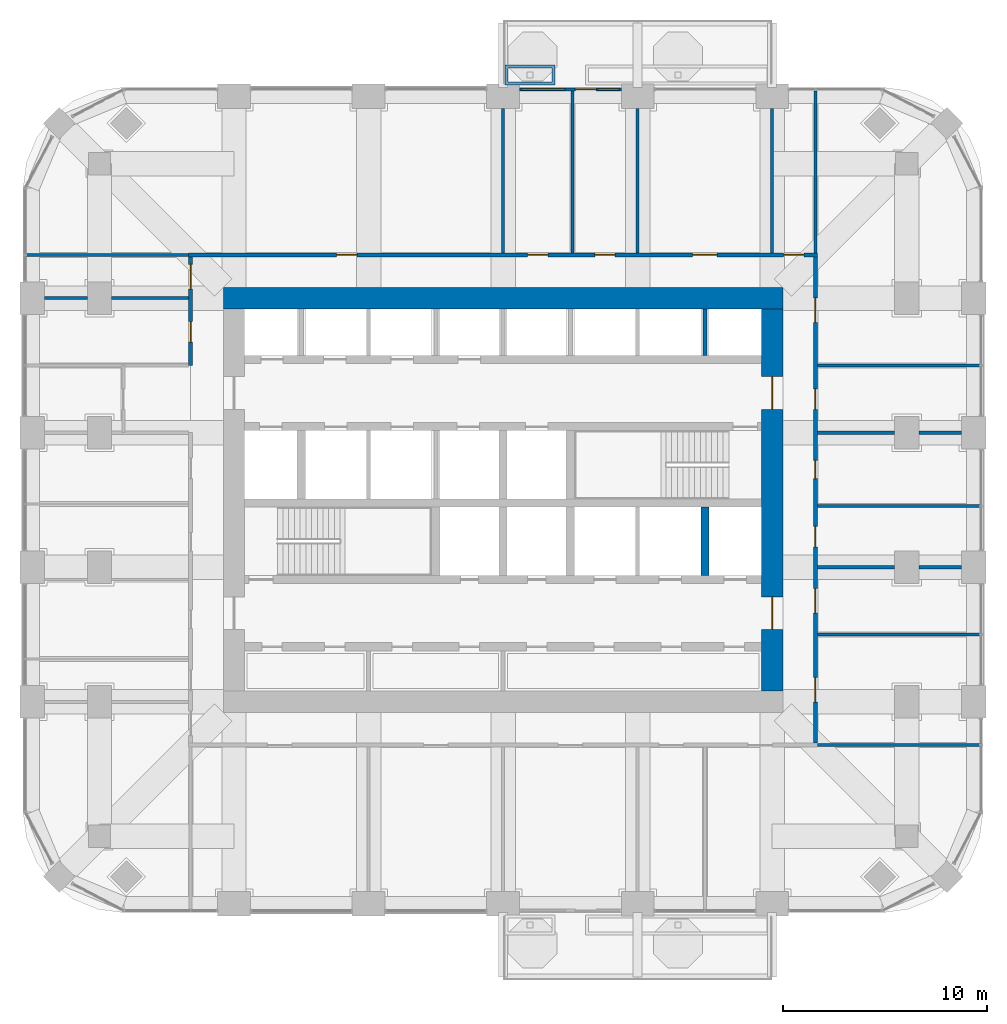
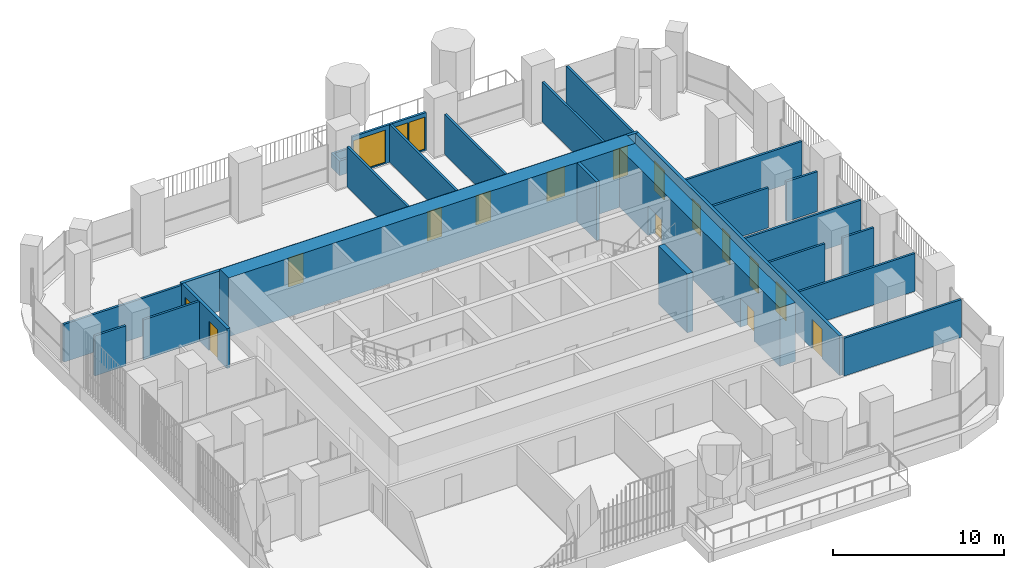
# One storey, part 15 of 20: 25 walls, 16 doors, 2 windows, 18 openings.
"""IFC4 building model written with IfcOpenShell, lengths in metres."""

from ifc_helpers import new_model, si_unit, direction, frame, frame_2d, origin, place, context, subcontext, project, spatial, polyline, rectangle, outline, extrude, material, layer, layer_set, type_object, element, fill, save


model = new_model("IFC4")

# Units and contexts
model_context = context("Model", 3, precision=1e-05, world=origin(), true_north=direction((0.0, 1.0)))
body_context = subcontext(model_context, "Body", "Model", "MODEL_VIEW")
ifc_project = project(units=[si_unit("LENGTHUNIT", "METRE"), si_unit("AREAUNIT", "SQUARE_METRE"), si_unit("VOLUMEUNIT", "CUBIC_METRE"), si_unit("PLANEANGLEUNIT", "RADIAN"), si_unit("MASSUNIT", "GRAM", prefix="KILO")], contexts=[model_context])

# Site, building, storey
site_placement = place(None, origin())
site = spatial("IfcSite", under=ifc_project, at=site_placement, CompositionType="ELEMENT")
building_placement = place(site_placement, origin())
building = spatial("IfcBuilding", under=site, at=building_placement, Name="Cobogo Forest Laboratory Tower", CompositionType="ELEMENT")
storey_placement = place(building_placement, frame((0.0, 0.0, 189.300048828125)))
storey = spatial("IfcBuildingStorey", under=building, at=storey_placement, Name="L43", CompositionType="ELEMENT", Elevation=189.300048828125)

# Wall
ifc_material_1 = material(Name="Concrete HA-50 (C50/60)", Category="concrete")
ifc_layer_1 = layer(ifc_material_1, 0.39990234375)
ifc_layer_set_1 = layer_set([ifc_layer_1], Name="CI400 core inner wall 400")
wall_type_1 = type_object("IfcWallType", Name="CI400 core inner wall 400", PredefinedType="SHEAR", material=ifc_layer_set_1)
wall_1_placement = place(storey_placement, frame((36.300048828125, 19.39990234375, 0.0), z_axis=(0.0, 0.0, 1.0), x_axis=(0.0, 1.0, 0.0)))
element("IfcWall", 1, at=wall_1_placement, inside=storey, type_object=wall_type_1, Name="Core wall CX-36.3 L43", PredefinedType="SHEAR", context=body_context, shape_type="SweptSolid", body=[
    extrude(rectangle(XDim=3.35009765625, YDim=0.39990234375, at=frame_2d((1.675048828125, 0.0))), origin(), (0.0, 0.0, 1.0), 4.199951171875),
])

# Wall, openings, doors
ifc_layer_2 = layer(ifc_material_1, 1.050048828125)
ifc_layer_set_2 = layer_set([ifc_layer_2], Name="CW1050 core outer wall 1050")
wall_type_2 = type_object("IfcWallType", Name="CW1050 core outer wall 1050", PredefinedType="SHEAR", material=ifc_layer_set_2)
wall_2_placement = place(storey_placement, frame((39.60009765625, 13.72509765625, 0.0), z_axis=(0.0, 0.0, 1.0), x_axis=(0.0, 1.0, 0.0)))
wall_2 = element("IfcWall", 2, at=wall_2_placement, inside=storey, type_object=wall_type_2, Name="Core wall CO-E L43", PredefinedType="SHEAR", context=body_context, shape_type="SweptSolid", body=[
    extrude(rectangle(XDim=18.75, YDim=1.050048828125, at=frame_2d((9.375, 0.0))), origin(), (0.0, 0.0, 1.0), 4.199951171875),
])
opening_1_placement = place(wall_2_placement, frame((3.02490234375, 0.0, 0.0)))
opening_1 = element("IfcOpeningElement", 3, at=opening_1_placement, cuts=wall_2, Name="Opening L43-D20", PredefinedType="OPENING", context=body_context, shape_type="SweptSolid", body=[
    extrude(rectangle(XDim=1.60009765625, YDim=2.10009765625, at=frame_2d((0.800048828125, 1.050048828125))), frame((0.0, 0.534912109375, 0.0), z_axis=(0.0, -1.0, 0.0), x_axis=(1.0, 0.0, 0.0)), (0.0, 0.0, 1.0), 1.070068359375),
])
opening_2_placement = place(wall_2_placement, frame((13.824951171875, 0.0, 0.0)))
opening_2 = element("IfcOpeningElement", 4, at=opening_2_placement, cuts=wall_2, Name="Opening L43-D33", PredefinedType="OPENING", context=body_context, shape_type="SweptSolid", body=[
    extrude(rectangle(XDim=1.60009765625, YDim=2.10009765625, at=frame_2d((0.800048828125, 1.050048828125))), frame((0.0, 0.534912109375, 0.0), z_axis=(0.0, -1.0, 0.0), x_axis=(1.0, 0.0, 0.0)), (0.0, 0.0, 1.0), 1.070068359375),
])
ifc_material_2 = material(Name="Steel fire door", Category="steel")
door_type_1 = type_object("IfcDoorType", Name="DS2 protected lobby door pair 1600 EI2 60", OperationType="DOUBLE_DOOR_DOUBLE_SWING", PredefinedType="DOOR", material=ifc_material_2)
door_1_placement = place(opening_1_placement, origin())
door_1 = element("IfcDoor", 5, at=door_1_placement, inside=storey, type_object=door_type_1, Name="Door L43-CO-E-S", OperationType="DOUBLE_DOOR_DOUBLE_SWING", OverallHeight=2.10009765625, OverallWidth=1.60009765625, PredefinedType="DOOR", context=body_context, shape_type="SweptSolid", body=[
    extrude(rectangle(XDim=1.60009765625, YDim=2.10009765625, at=frame_2d((0.800048828125, 1.050048828125))), frame((0.0, 0.02490234375, 0.0), z_axis=(0.0, -1.0, 0.0), x_axis=(1.0, 0.0, 0.0)), (0.0, 0.0, 1.0), 0.050048828125),
])
fill(opening_1, door_1)
door_2_placement = place(opening_2_placement, origin())
door_2 = element("IfcDoor", 6, at=door_2_placement, inside=storey, type_object=door_type_1, Name="Door L43-CO-E-N", OperationType="DOUBLE_DOOR_DOUBLE_SWING", OverallHeight=2.10009765625, OverallWidth=1.60009765625, PredefinedType="DOOR", context=body_context, shape_type="SweptSolid", body=[
    extrude(rectangle(XDim=1.60009765625, YDim=2.10009765625, at=frame_2d((0.800048828125, 1.050048828125))), frame((0.0, 0.02490234375, 0.0), z_axis=(0.0, -1.0, 0.0), x_axis=(1.0, 0.0, 0.0)), (0.0, 0.0, 1.0), 0.050048828125),
])
fill(opening_2, door_2)

# Wall
wall_3_placement = place(storey_placement, frame((40.125, 33.0, 0.0), z_axis=(0.0, 0.0, 1.0), x_axis=(-1.0, 0.0, 0.0)))
element("IfcWall", 7, at=wall_3_placement, inside=storey, type_object=wall_type_2, Name="Core wall CO-N L43", PredefinedType="SHEAR", context=body_context, shape_type="SweptSolid", body=[
    extrude(rectangle(XDim=27.449951171875, YDim=1.050048828125, at=frame_2d((13.72509765625, 0.0))), origin(), (0.0, 0.0, 1.0), 4.199951171875),
])

# Wall, openings, door, windows
ifc_material_3 = material(Name="Aluminium framed glazed screen", Category="aluminium")
ifc_layer_3 = layer(ifc_material_3, 0.14990234375)
ifc_layer_set_3 = layer_set([ifc_layer_3], Name="GS1 glazed door screen 150")
wall_type_3 = type_object("IfcWallType", Name="GS1 glazed door screen 150", PredefinedType="SOLIDWALL", material=ifc_layer_set_3)
wall_4_placement = place(storey_placement, frame((32.199951171875, 43.25, 0.0), z_axis=(0.0, 0.0, 1.0), x_axis=(-1.0, 0.0, 0.0)))
wall_4 = element("IfcWall", 8, at=wall_4_placement, inside=storey, type_object=wall_type_3, Name="Door screen BAL-N1 L43", PredefinedType="SOLIDWALL", context=body_context, shape_type="SweptSolid", body=[
    extrude(rectangle(XDim=5.0, YDim=0.14990234375, at=frame_2d((2.5, 0.0))), origin(), (0.0, 0.0, 1.0), 2.699951171875),
])
opening_3_placement = place(wall_4_placement, frame((1.25, 0.0, 0.0)))
opening_3 = element("IfcOpeningElement", 9, at=opening_3_placement, cuts=wall_4, Name="Opening L43-D42", PredefinedType="OPENING", context=body_context, shape_type="SweptSolid", body=[
    extrude(rectangle(XDim=1.0, YDim=2.39990234375, at=frame_2d((0.5, 1.199951171875))), frame((0.0, 0.0849609375, 0.0), z_axis=(0.0, -1.0, 0.0), x_axis=(1.0, 0.0, 0.0)), (0.0, 0.0, 1.0), 0.169921875),
])
opening_4_placement = place(wall_4_placement, frame((0.10009765625, 0.0, 0.10009765625)))
opening_4 = element("IfcOpeningElement", 10, at=opening_4_placement, cuts=wall_4, Name="Opening L43-W04", PredefinedType="OPENING", context=body_context, shape_type="SweptSolid", body=[
    extrude(rectangle(XDim=1.050048828125, YDim=2.300048828125, at=frame_2d((0.52490234375, 1.14990234375))), frame((0.0, 0.0849609375, 0.0), z_axis=(0.0, -1.0, 0.0), x_axis=(1.0, 0.0, 0.0)), (0.0, 0.0, 1.0), 0.169921875),
])
opening_5_placement = place(wall_4_placement, frame((2.75, 0.0, 0.10009765625)))
opening_5 = element("IfcOpeningElement", 11, at=opening_5_placement, cuts=wall_4, Name="Opening L43-W03", PredefinedType="OPENING", context=body_context, shape_type="SweptSolid", body=[
    extrude(rectangle(XDim=2.14990234375, YDim=2.300048828125, at=frame_2d((1.074951171875, 1.14990234375))), frame((0.0, 0.0849609375, 0.0), z_axis=(0.0, -1.0, 0.0), x_axis=(1.0, 0.0, 0.0)), (0.0, 0.0, 1.0), 0.169921875),
])
ifc_material_4 = material(Name="Aluminium glazed door", Category="aluminium")
door_type_2 = type_object("IfcDoorType", Name="DB1 balcony door 1000 glazed", OperationType="SINGLE_SWING_LEFT", PredefinedType="DOOR", material=ifc_material_4)
door_3_placement = place(opening_3_placement, origin())
door_3 = element("IfcDoor", 12, at=door_3_placement, inside=storey, type_object=door_type_2, Name="Door L43-BAL-N1", OperationType="SINGLE_SWING_LEFT", OverallHeight=2.39990234375, OverallWidth=1.0, PredefinedType="DOOR", context=body_context, shape_type="SweptSolid", body=[
    extrude(rectangle(XDim=1.0, YDim=2.39990234375, at=frame_2d((0.5, 1.199951171875))), frame((0.0, 0.02490234375, 0.0), z_axis=(0.0, -1.0, 0.0), x_axis=(1.0, 0.0, 0.0)), (0.0, 0.0, 1.0), 0.050048828125),
])
fill(opening_3, door_3)
ifc_material_5 = material(Name="Aluminium framed glazing", Category="aluminium")
window_type_1 = type_object("IfcWindowType", Name="WG13 fixed glazed light 2150x2300", PartitioningType="SINGLE_PANEL", PredefinedType="WINDOW", material=ifc_material_5)
window_1_placement = place(opening_5_placement, origin())
window_1 = element("IfcWindow", 13, at=window_1_placement, inside=storey, type_object=window_type_1, Name="Window L43-BAL-N1-2", OverallHeight=2.300048828125, OverallWidth=2.14990234375, PartitioningType="SINGLE_PANEL", PredefinedType="WINDOW", context=body_context, shape_type="SweptSolid", body=[
    extrude(rectangle(XDim=2.14990234375, YDim=2.300048828125, at=frame_2d((1.074951171875, 1.14990234375))), frame((0.0, 0.030029296875, 0.0), z_axis=(0.0, -1.0, 0.0), x_axis=(1.0, 0.0, 0.0)), (0.0, 0.0, 1.0), 0.06005859375),
])
fill(opening_5, window_1)
window_type_2 = type_object("IfcWindowType", Name="WG14 fixed glazed light 1050x2300", PartitioningType="SINGLE_PANEL", PredefinedType="WINDOW", material=ifc_material_5)
window_2_placement = place(opening_4_placement, origin())
window_2 = element("IfcWindow", 14, at=window_2_placement, inside=storey, type_object=window_type_2, Name="Window L43-BAL-N1-1", OverallHeight=2.300048828125, OverallWidth=1.050048828125, PartitioningType="SINGLE_PANEL", PredefinedType="WINDOW", context=body_context, shape_type="SweptSolid", body=[
    extrude(rectangle(XDim=1.050048828125, YDim=2.300048828125, at=frame_2d((0.52490234375, 1.14990234375))), frame((0.0, 0.030029296875, 0.0), z_axis=(0.0, -1.0, 0.0), x_axis=(1.0, 0.0, 0.0)), (0.0, 0.0, 1.0), 0.06005859375),
])
fill(opening_4, window_2)

# Walls
ifc_material_6 = material(Name="Gypsum board on steel studs", Category="steel")
ifc_layer_4 = layer(ifc_material_6, 0.14990234375)
ifc_layer_set_4 = layer_set([ifc_layer_4], Name="PT1 laboratory partition 150")
wall_type_4 = type_object("IfcWallType", Name="PT1 laboratory partition 150", PredefinedType="PARTITIONING", material=ifc_layer_set_4)
wall_5_placement = place(storey_placement, frame((49.77001953125, 11.074951171875, 0.0), z_axis=(0.0, 0.0, 1.0), x_axis=(-1.0, 0.0, 0.0)))
element("IfcWall", 15, at=wall_5_placement, inside=storey, type_object=wall_type_4, Name="Partition PW-SE L43", PredefinedType="PARTITIONING", context=body_context, shape_type="SweptSolid", body=[
    extrude(rectangle(XDim=7.945068359375, YDim=0.14990234375, at=frame_2d((3.97265625, 0.0))), origin(), (0.0, 0.0, 1.0), 2.699951171875),
])
wall_6_placement = place(storey_placement, frame((41.72509765625, 43.169921875, 0.0), z_axis=(0.0, 0.0, 1.0), x_axis=(0.0, -1.0, 0.0)))
element("IfcWall", 16, at=wall_6_placement, inside=storey, type_object=wall_type_4, Name="Partition PW-NE L43", PredefinedType="PARTITIONING", context=body_context, shape_type="SweptSolid", body=[
    extrude(rectangle(XDim=7.94482421875, YDim=0.14990234375, at=frame_2d((3.972412109375, 0.0))), origin(), (0.0, 0.0, 1.0), 2.699951171875),
])
for number, where, z_axis, x_axis, name in (
    (17, (3.030029296875, 35.125, 0.0), (0.0, 0.0, 1.0), (1.0, 0.0, 0.0), "Partition PW-NW L43"),
    (18, (49.77001953125, 22.800048828125, 0.0), (0.0, 0.0, 1.0), (-1.0, 0.0, 0.0), "Partition SVC-E1-1 L43"),
):
    element("IfcWall", number, at=place(storey_placement, frame(where, z_axis=z_axis, x_axis=x_axis)), inside=storey, type_object=wall_type_4, Name=name, PredefinedType="PARTITIONING", context=body_context, shape_type="SweptSolid", body=[
        extrude(rectangle(XDim=7.945068359375, YDim=0.14990234375, at=frame_2d((3.97265625, 0.0))), origin(), (0.0, 0.0, 1.0), 2.699951171875),
    ])
wall_7_placement = place(storey_placement, frame((48.89990234375, 26.39990234375, 0.0), z_axis=(0.0, 0.0, 1.0), x_axis=(-1.0, 0.0, 0.0)))
element("IfcWall", 19, at=wall_7_placement, inside=storey, type_object=wall_type_4, Name="Partition SVC-E2-1 L43", PredefinedType="PARTITIONING", context=body_context, shape_type="SweptSolid", body=[
    extrude(rectangle(XDim=2.099853515625, YDim=0.14990234375, at=frame_2d((1.0498046875, 0.0))), origin(), (0.0, 0.0, 1.0), 2.849853515625),
])
wall_8_placement = place(storey_placement, frame((45.60009765625, 26.39990234375, 0.0), z_axis=(0.0, 0.0, 1.0), x_axis=(-1.0, 0.0, 0.0)))
element("IfcWall", 20, at=wall_8_placement, inside=storey, type_object=wall_type_4, Name="Partition SVC-E2-2 L43", PredefinedType="PARTITIONING", context=body_context, shape_type="SweptSolid", body=[
    extrude(rectangle(XDim=3.775146484375, YDim=0.14990234375, at=frame_2d((1.8876953125, 0.0))), origin(), (0.0, 0.0, 1.0), 2.849853515625),
])
wall_9_placement = place(storey_placement, frame((49.77001953125, 16.5, 0.0), z_axis=(0.0, 0.0, 1.0), x_axis=(-1.0, 0.0, 0.0)))
element("IfcWall", 21, at=wall_9_placement, inside=storey, type_object=wall_type_4, Name="Partition CUT-E16.5-1 L43", PredefinedType="PARTITIONING", context=body_context, shape_type="SweptSolid", body=[
    extrude(rectangle(XDim=7.945068359375, YDim=0.14990234375, at=frame_2d((3.97265625, 0.0))), origin(), (0.0, 0.0, 1.0), 2.699951171875),
])
wall_10_placement = place(storey_placement, frame((48.89990234375, 19.800048828125, 0.0), z_axis=(0.0, 0.0, 1.0), x_axis=(-1.0, 0.0, 0.0)))
element("IfcWall", 22, at=wall_10_placement, inside=storey, type_object=wall_type_4, Name="Partition CUT-E19.8-1 L43", PredefinedType="PARTITIONING", context=body_context, shape_type="SweptSolid", body=[
    extrude(rectangle(XDim=2.099853515625, YDim=0.14990234375, at=frame_2d((1.0498046875, 0.0))), origin(), (0.0, 0.0, 1.0), 2.849853515625),
])
wall_11_placement = place(storey_placement, frame((45.60009765625, 19.800048828125, 0.0), z_axis=(0.0, 0.0, 1.0), x_axis=(-1.0, 0.0, 0.0)))
element("IfcWall", 23, at=wall_11_placement, inside=storey, type_object=wall_type_4, Name="Partition CUT-E19.8-2 L43", PredefinedType="PARTITIONING", context=body_context, shape_type="SweptSolid", body=[
    extrude(rectangle(XDim=3.775146484375, YDim=0.14990234375, at=frame_2d((1.8876953125, 0.0))), origin(), (0.0, 0.0, 1.0), 2.849853515625),
])
wall_12_placement = place(storey_placement, frame((49.77001953125, 29.699951171875, 0.0), z_axis=(0.0, 0.0, 1.0), x_axis=(-1.0, 0.0, 0.0)))
element("IfcWall", 24, at=wall_12_placement, inside=storey, type_object=wall_type_4, Name="Partition CUT-E29.7-1 L43", PredefinedType="PARTITIONING", context=body_context, shape_type="SweptSolid", body=[
    extrude(rectangle(XDim=7.945068359375, YDim=0.14990234375, at=frame_2d((3.97265625, 0.0))), origin(), (0.0, 0.0, 1.0), 2.699951171875),
])
wall_13_placement = place(storey_placement, frame((29.800048828125, 43.169921875, 0.0), z_axis=(0.0, 0.0, 1.0), x_axis=(0.0, -1.0, 0.0)))
element("IfcWall", 25, at=wall_13_placement, inside=storey, type_object=wall_type_4, Name="Partition SVC-N1-1 L43", PredefinedType="PARTITIONING", context=body_context, shape_type="SweptSolid", body=[
    extrude(rectangle(XDim=7.94482421875, YDim=0.14990234375, at=frame_2d((3.972412109375, 0.0))), origin(), (0.0, 0.0, 1.0), 2.699951171875),
])
for number, where, z_axis, x_axis, name in (
    (26, (33.0, 42.300048828125, 0.0), (0.0, 0.0, 1.0), (0.0, -1.0, 0.0), "Partition SVC-N2-1 L43"),
    (27, (26.39990234375, 42.300048828125, 0.0), (0.0, 0.0, 1.0), (0.0, -1.0, 0.0), "Partition CUT-N26.4-1 L43"),
    (28, (39.60009765625, 42.300048828125, 0.0), (0.0, 0.0, 1.0), (0.0, -1.0, 0.0), "Partition CUT-N39.6-1 L43"),
):
    element("IfcWall", number, at=place(storey_placement, frame(where, z_axis=z_axis, x_axis=x_axis)), inside=storey, type_object=wall_type_4, Name=name, PredefinedType="PARTITIONING", context=body_context, shape_type="SweptSolid", body=[
        extrude(rectangle(XDim=7.074951171875, YDim=0.14990234375, at=frame_2d((3.53759765625, 0.0))), origin(), (0.0, 0.0, 1.0), 2.849853515625),
    ])
wall_14_placement = place(storey_placement, frame((3.89990234375, 33.0, 0.0), z_axis=(0.0, 0.0, 1.0), x_axis=(1.0, 0.0, 0.0)))
element("IfcWall", 29, at=wall_14_placement, inside=storey, type_object=wall_type_4, Name="Partition CUT-W33-1 L43", PredefinedType="PARTITIONING", context=body_context, shape_type="SweptSolid", body=[
    extrude(rectangle(XDim=2.10009765625, YDim=0.14990234375, at=frame_2d((1.050048828125, 0.0))), origin(), (0.0, 0.0, 1.0), 2.849853515625),
])
wall_15_placement = place(storey_placement, frame((7.199951171875, 33.0, 0.0), z_axis=(0.0, 0.0, 1.0), x_axis=(1.0, 0.0, 0.0)))
element("IfcWall", 30, at=wall_15_placement, inside=storey, type_object=wall_type_4, Name="Partition CUT-W33-2 L43", PredefinedType="PARTITIONING", context=body_context, shape_type="SweptSolid", body=[
    extrude(rectangle(XDim=3.775146484375, YDim=0.14990234375, at=frame_2d((1.8876953125, 0.0))), origin(), (0.0, 0.0, 1.0), 2.849853515625),
])

# Wall, openings, doors
ifc_layer_5 = layer(ifc_material_6, 0.199951171875)
ifc_layer_set_5 = layer_set([ifc_layer_5], Name="PT2 fire-rated corridor partition 200")
wall_type_5 = type_object("IfcWallType", Name="PT2 fire-rated corridor partition 200", PredefinedType="PARTITIONING", material=ifc_layer_set_5)
wall_16_placement = place(storey_placement, frame((10.97509765625, 35.125, 0.0), z_axis=(0.0, 0.0, 1.0), x_axis=(1.0, 0.0, 0.0)))
wall_16 = element("IfcWall", 31, at=wall_16_placement, inside=storey, type_object=wall_type_5, Name="Partition CORR-N L43", PredefinedType="PARTITIONING", context=body_context, shape_type="SweptSolid", body=[
    extrude(rectangle(XDim=30.849853515625, YDim=0.199951171875, at=frame_2d((15.4248046875, 0.0))), origin(), (0.0, 0.0, 1.0), 2.849853515625),
])
opening_6_placement = place(wall_16_placement, frame((7.262451171875, 0.0, 0.0)))
opening_6 = element("IfcOpeningElement", 32, at=opening_6_placement, cuts=wall_16, Name="Opening L43-D37", PredefinedType="OPENING", context=body_context, shape_type="SweptSolid", body=[
    extrude(rectangle(XDim=1.0, YDim=2.10009765625, at=frame_2d((0.5, 1.050048828125))), frame((0.0, 0.10986328125, 0.0), z_axis=(0.0, -1.0, 0.0), x_axis=(1.0, 0.0, 0.0)), (0.0, 0.0, 1.0), 0.219970703125),
])
opening_7_placement = place(wall_16_placement, frame((16.625, 0.0, 0.0)))
opening_7 = element("IfcOpeningElement", 33, at=opening_7_placement, cuts=wall_16, Name="Opening L43-D38", PredefinedType="OPENING", context=body_context, shape_type="SweptSolid", body=[
    extrude(rectangle(XDim=1.0, YDim=2.10009765625, at=frame_2d((0.5, 1.050048828125))), frame((0.0, 0.10986328125, 0.0), z_axis=(0.0, -1.0, 0.0), x_axis=(1.0, 0.0, 0.0)), (0.0, 0.0, 1.0), 0.219970703125),
])
opening_8_placement = place(wall_16_placement, frame((19.925048828125, 0.0, 0.0)))
opening_8 = element("IfcOpeningElement", 34, at=opening_8_placement, cuts=wall_16, Name="Opening L43-D39", PredefinedType="OPENING", context=body_context, shape_type="SweptSolid", body=[
    extrude(rectangle(XDim=1.0, YDim=2.10009765625, at=frame_2d((0.5, 1.050048828125))), frame((0.0, 0.10986328125, 0.0), z_axis=(0.0, -1.0, 0.0), x_axis=(1.0, 0.0, 0.0)), (0.0, 0.0, 1.0), 0.219970703125),
])
opening_9_placement = place(wall_16_placement, frame((24.72509765625, 0.0, 0.0)))
opening_9 = element("IfcOpeningElement", 35, at=opening_9_placement, cuts=wall_16, Name="Opening L43-D40", PredefinedType="OPENING", context=body_context, shape_type="SweptSolid", body=[
    extrude(rectangle(XDim=1.199951171875, YDim=2.10009765625, at=frame_2d((0.60009765625, 1.050048828125))), frame((0.0, 0.10986328125, 0.0), z_axis=(0.0, -1.0, 0.0), x_axis=(1.0, 0.0, 0.0)), (0.0, 0.0, 1.0), 0.219970703125),
])
opening_10_placement = place(wall_16_placement, frame((29.1875, 0.0, 0.0)))
opening_10 = element("IfcOpeningElement", 36, at=opening_10_placement, cuts=wall_16, Name="Opening L43-D41", PredefinedType="OPENING", context=body_context, shape_type="SweptSolid", body=[
    extrude(rectangle(XDim=1.0, YDim=2.10009765625, at=frame_2d((0.5, 1.050048828125))), frame((0.0, 0.10986328125, 0.0), z_axis=(0.0, -1.0, 0.0), x_axis=(1.0, 0.0, 0.0)), (0.0, 0.0, 1.0), 0.219970703125),
])
ifc_material_7 = material(Name="Timber door", Category="wood")
door_type_3 = type_object("IfcDoorType", Name="D2 laboratory door 1200 unequal pair", OperationType="DOUBLE_DOOR_SINGLE_SWING", PredefinedType="DOOR", material=ifc_material_7)
door_4_placement = place(opening_9_placement, origin())
door_4 = element("IfcDoor", 37, at=door_4_placement, inside=storey, type_object=door_type_3, Name="Door L43-N2", OperationType="DOUBLE_DOOR_SINGLE_SWING", OverallHeight=2.10009765625, OverallWidth=1.199951171875, PredefinedType="DOOR", context=body_context, shape_type="SweptSolid", body=[
    extrude(rectangle(XDim=1.199951171875, YDim=2.10009765625, at=frame_2d((0.60009765625, 1.050048828125))), frame((0.0, 0.02490234375, 0.0), z_axis=(0.0, -1.0, 0.0), x_axis=(1.0, 0.0, 0.0)), (0.0, 0.0, 1.0), 0.050048828125),
])
fill(opening_9, door_4)
ifc_material_8 = material(Name="Timber fire door", Category="wood")
door_type_4 = type_object("IfcDoorType", Name="FD2 fire door 1000 EI2 30", OperationType="SINGLE_SWING_LEFT", PredefinedType="DOOR", material=ifc_material_8)
door_5_placement = place(opening_6_placement, origin())
door_5 = element("IfcDoor", 38, at=door_5_placement, inside=storey, type_object=door_type_4, Name="Door L43-N1", OperationType="SINGLE_SWING_LEFT", OverallHeight=2.10009765625, OverallWidth=1.0, PredefinedType="DOOR", context=body_context, shape_type="SweptSolid", body=[
    extrude(rectangle(XDim=1.0, YDim=2.10009765625, at=frame_2d((0.5, 1.050048828125))), frame((0.0, 0.02490234375, 0.0), z_axis=(0.0, -1.0, 0.0), x_axis=(1.0, 0.0, 0.0)), (0.0, 0.0, 1.0), 0.050048828125),
])
fill(opening_6, door_5)
door_6_placement = place(opening_7_placement, origin())
door_6 = element("IfcDoor", 39, at=door_6_placement, inside=storey, type_object=door_type_4, Name="Door L43-MTG", OperationType="SINGLE_SWING_RIGHT", OverallHeight=2.10009765625, OverallWidth=1.0, PredefinedType="DOOR", context=body_context, shape_type="SweptSolid", body=[
    extrude(rectangle(XDim=1.0, YDim=2.10009765625, at=frame_2d((0.5, 1.050048828125))), frame((0.0, 0.02490234375, 0.0), z_axis=(0.0, -1.0, 0.0), x_axis=(1.0, 0.0, 0.0)), (0.0, 0.0, 1.0), 0.050048828125),
])
fill(opening_7, door_6)
door_7_placement = place(opening_8_placement, origin())
door_7 = element("IfcDoor", 40, at=door_7_placement, inside=storey, type_object=door_type_4, Name="Door L43-PAN", OperationType="SINGLE_SWING_RIGHT", OverallHeight=2.10009765625, OverallWidth=1.0, PredefinedType="DOOR", context=body_context, shape_type="SweptSolid", body=[
    extrude(rectangle(XDim=1.0, YDim=2.10009765625, at=frame_2d((0.5, 1.050048828125))), frame((0.0, 0.02490234375, 0.0), z_axis=(0.0, -1.0, 0.0), x_axis=(1.0, 0.0, 0.0)), (0.0, 0.0, 1.0), 0.050048828125),
])
fill(opening_8, door_7)
door_8_placement = place(opening_10_placement, origin())
door_8 = element("IfcDoor", 41, at=door_8_placement, inside=storey, type_object=door_type_4, Name="Door L43-N3", OperationType="SINGLE_SWING_RIGHT", OverallHeight=2.10009765625, OverallWidth=1.0, PredefinedType="DOOR", context=body_context, shape_type="SweptSolid", body=[
    extrude(rectangle(XDim=1.0, YDim=2.10009765625, at=frame_2d((0.5, 1.050048828125))), frame((0.0, 0.02490234375, 0.0), z_axis=(0.0, -1.0, 0.0), x_axis=(1.0, 0.0, 0.0)), (0.0, 0.0, 1.0), 0.050048828125),
])
fill(opening_10, door_8)

wall_17_placement = place(storey_placement, frame((11.074951171875, 29.699951171875, 0.0), z_axis=(0.0, 0.0, 1.0), x_axis=(0.0, 1.0, 0.0)))
wall_17 = element("IfcWall", 42, at=wall_17_placement, inside=storey, type_object=wall_type_5, Name="Partition CORR-W-2 L43", PredefinedType="PARTITIONING", context=body_context, shape_type="SweptSolid", body=[
    extrude(rectangle(XDim=5.324951171875, YDim=0.199951171875, at=frame_2d((2.66259765625, 0.0))), origin(), (0.0, 0.0, 1.0), 2.849853515625),
])
opening_11_placement = place(wall_17_placement, frame((1.14990234375, 0.0, 0.0)))
opening_11 = element("IfcOpeningElement", 43, at=opening_11_placement, cuts=wall_17, Name="Opening L43-D34", PredefinedType="OPENING", context=body_context, shape_type="SweptSolid", body=[
    extrude(rectangle(XDim=1.0, YDim=2.10009765625, at=frame_2d((0.5, 1.050048828125))), frame((0.0, 0.10986328125, 0.0), z_axis=(0.0, -1.0, 0.0), x_axis=(1.0, 0.0, 0.0)), (0.0, 0.0, 1.0), 0.219970703125),
])
opening_12_placement = place(wall_17_placement, frame((3.762451171875, 0.0, 0.0)))
opening_12 = element("IfcOpeningElement", 44, at=opening_12_placement, cuts=wall_17, Name="Opening L43-D36", PredefinedType="OPENING", context=body_context, shape_type="SweptSolid", body=[
    extrude(rectangle(XDim=1.199951171875, YDim=2.10009765625, at=frame_2d((0.60009765625, 1.050048828125))), frame((0.0, 0.10986328125, 0.0), z_axis=(0.0, -1.0, 0.0), x_axis=(1.0, 0.0, 0.0)), (0.0, 0.0, 1.0), 0.219970703125),
])
door_9_placement = place(opening_12_placement, origin())
door_9 = element("IfcDoor", 45, at=door_9_placement, inside=storey, type_object=door_type_3, Name="Door L43-W5", OperationType="DOUBLE_DOOR_SINGLE_SWING", OverallHeight=2.10009765625, OverallWidth=1.199951171875, PredefinedType="DOOR", context=body_context, shape_type="SweptSolid", body=[
    extrude(rectangle(XDim=1.199951171875, YDim=2.10009765625, at=frame_2d((0.60009765625, 1.050048828125))), frame((0.0, 0.02490234375, 0.0), z_axis=(0.0, -1.0, 0.0), x_axis=(1.0, 0.0, 0.0)), (0.0, 0.0, 1.0), 0.050048828125),
])
fill(opening_12, door_9)
door_10_placement = place(opening_11_placement, origin())
door_10 = element("IfcDoor", 46, at=door_10_placement, inside=storey, type_object=door_type_4, Name="Door L43-W4", OperationType="SINGLE_SWING_LEFT", OverallHeight=2.10009765625, OverallWidth=1.0, PredefinedType="DOOR", context=body_context, shape_type="SweptSolid", body=[
    extrude(rectangle(XDim=1.0, YDim=2.10009765625, at=frame_2d((0.5, 1.050048828125))), frame((0.0, 0.02490234375, 0.0), z_axis=(0.0, -1.0, 0.0), x_axis=(1.0, 0.0, 0.0)), (0.0, 0.0, 1.0), 0.050048828125),
])
fill(opening_11, door_10)

wall_18_placement = place(storey_placement, frame((41.72509765625, 11.175048828125, 0.0), z_axis=(0.0, 0.0, 1.0), x_axis=(0.0, 1.0, 0.0)))
wall_18 = element("IfcWall", 47, at=wall_18_placement, inside=storey, type_object=wall_type_5, Name="Partition CORR-E L43", PredefinedType="PARTITIONING", context=body_context, shape_type="SweptSolid", body=[
    extrude(rectangle(XDim=23.849853515625, YDim=0.199951171875, at=frame_2d((11.9248046875, 0.0))), origin(), (0.0, 0.0, 1.0), 2.849853515625),
])
opening_13_placement = place(wall_18_placement, frame((2.012451171875, 0.0, 0.0)))
opening_13 = element("IfcOpeningElement", 48, at=opening_13_placement, cuts=wall_18, Name="Opening L43-D08", PredefinedType="OPENING", context=body_context, shape_type="SweptSolid", body=[
    extrude(rectangle(XDim=1.199951171875, YDim=2.10009765625, at=frame_2d((0.60009765625, 1.050048828125))), frame((0.0, 0.10986328125, 0.0), z_axis=(0.0, -1.0, 0.0), x_axis=(1.0, 0.0, 0.0)), (0.0, 0.0, 1.0), 0.219970703125),
])
opening_14_placement = place(wall_18_placement, frame((6.375, 0.0, 0.0)))
opening_14 = element("IfcOpeningElement", 49, at=opening_14_placement, cuts=wall_18, Name="Opening L43-D21", PredefinedType="OPENING", context=body_context, shape_type="SweptSolid", body=[
    extrude(rectangle(XDim=1.199951171875, YDim=2.10009765625, at=frame_2d((0.60009765625, 1.050048828125))), frame((0.0, 0.10986328125, 0.0), z_axis=(0.0, -1.0, 0.0), x_axis=(1.0, 0.0, 0.0)), (0.0, 0.0, 1.0), 0.219970703125),
])
opening_15_placement = place(wall_18_placement, frame((9.625, 0.0, 0.0)))
opening_15 = element("IfcOpeningElement", 50, at=opening_15_placement, cuts=wall_18, Name="Opening L43-D26", PredefinedType="OPENING", context=body_context, shape_type="SweptSolid", body=[
    extrude(rectangle(XDim=1.0, YDim=2.10009765625, at=frame_2d((0.5, 1.050048828125))), frame((0.0, 0.10986328125, 0.0), z_axis=(0.0, -1.0, 0.0), x_axis=(1.0, 0.0, 0.0)), (0.0, 0.0, 1.0), 0.219970703125),
])
opening_16_placement = place(wall_18_placement, frame((12.97509765625, 0.0, 0.0)))
opening_16 = element("IfcOpeningElement", 51, at=opening_16_placement, cuts=wall_18, Name="Opening L43-D27", PredefinedType="OPENING", context=body_context, shape_type="SweptSolid", body=[
    extrude(rectangle(XDim=0.89990234375, YDim=2.10009765625, at=frame_2d((0.449951171875, 1.050048828125))), frame((0.0, 0.10986328125, 0.0), z_axis=(0.0, -1.0, 0.0), x_axis=(1.0, 0.0, 0.0)), (0.0, 0.0, 1.0), 0.219970703125),
])
opening_17_placement = place(wall_18_placement, frame((16.375, 0.0, 0.0)))
opening_17 = element("IfcOpeningElement", 52, at=opening_17_placement, cuts=wall_18, Name="Opening L43-D31", PredefinedType="OPENING", context=body_context, shape_type="SweptSolid", body=[
    extrude(rectangle(XDim=1.0, YDim=2.10009765625, at=frame_2d((0.5, 1.050048828125))), frame((0.0, 0.10986328125, 0.0), z_axis=(0.0, -1.0, 0.0), x_axis=(1.0, 0.0, 0.0)), (0.0, 0.0, 1.0), 0.219970703125),
])
opening_18_placement = place(wall_18_placement, frame((20.637451171875, 0.0, 0.0)))
opening_18 = element("IfcOpeningElement", 53, at=opening_18_placement, cuts=wall_18, Name="Opening L43-D35", PredefinedType="OPENING", context=body_context, shape_type="SweptSolid", body=[
    extrude(rectangle(XDim=1.199951171875, YDim=2.10009765625, at=frame_2d((0.60009765625, 1.050048828125))), frame((0.0, 0.10986328125, 0.0), z_axis=(0.0, -1.0, 0.0), x_axis=(1.0, 0.0, 0.0)), (0.0, 0.0, 1.0), 0.219970703125),
])
door_11_placement = place(opening_13_placement, origin())
door_11 = element("IfcDoor", 54, at=door_11_placement, inside=storey, type_object=door_type_3, Name="Door L43-E1", OperationType="DOUBLE_DOOR_SINGLE_SWING", OverallHeight=2.10009765625, OverallWidth=1.199951171875, PredefinedType="DOOR", context=body_context, shape_type="SweptSolid", body=[
    extrude(rectangle(XDim=1.199951171875, YDim=2.10009765625, at=frame_2d((0.60009765625, 1.050048828125))), frame((0.0, 0.02490234375, 0.0), z_axis=(0.0, -1.0, 0.0), x_axis=(1.0, 0.0, 0.0)), (0.0, 0.0, 1.0), 0.050048828125),
])
fill(opening_13, door_11)
door_12_placement = place(opening_14_placement, origin())
door_12 = element("IfcDoor", 55, at=door_12_placement, inside=storey, type_object=door_type_3, Name="Door L43-E2", OperationType="DOUBLE_DOOR_SINGLE_SWING", OverallHeight=2.10009765625, OverallWidth=1.199951171875, PredefinedType="DOOR", context=body_context, shape_type="SweptSolid", body=[
    extrude(rectangle(XDim=1.199951171875, YDim=2.10009765625, at=frame_2d((0.60009765625, 1.050048828125))), frame((0.0, 0.02490234375, 0.0), z_axis=(0.0, -1.0, 0.0), x_axis=(1.0, 0.0, 0.0)), (0.0, 0.0, 1.0), 0.050048828125),
])
fill(opening_14, door_12)
door_13_placement = place(opening_18_placement, origin())
door_13 = element("IfcDoor", 56, at=door_13_placement, inside=storey, type_object=door_type_3, Name="Door L43-E4", OperationType="DOUBLE_DOOR_SINGLE_SWING", OverallHeight=2.10009765625, OverallWidth=1.199951171875, PredefinedType="DOOR", context=body_context, shape_type="SweptSolid", body=[
    extrude(rectangle(XDim=1.199951171875, YDim=2.10009765625, at=frame_2d((0.60009765625, 1.050048828125))), frame((0.0, 0.02490234375, 0.0), z_axis=(0.0, -1.0, 0.0), x_axis=(1.0, 0.0, 0.0)), (0.0, 0.0, 1.0), 0.050048828125),
])
fill(opening_18, door_13)
door_type_5 = type_object("IfcDoorType", Name="FD1 fire door 1000 EI2 60", OperationType="SINGLE_SWING_LEFT", PredefinedType="DOOR", material=ifc_material_2)
door_14_placement = place(opening_15_placement, origin())
door_14 = element("IfcDoor", 57, at=door_14_placement, inside=storey, type_object=door_type_5, Name="Door L43-ELEC", OperationType="SINGLE_SWING_LEFT", OverallHeight=2.10009765625, OverallWidth=1.0, PredefinedType="DOOR", context=body_context, shape_type="SweptSolid", body=[
    extrude(rectangle(XDim=1.0, YDim=2.10009765625, at=frame_2d((0.5, 1.050048828125))), frame((0.0, 0.02490234375, 0.0), z_axis=(0.0, -1.0, 0.0), x_axis=(1.0, 0.0, 0.0)), (0.0, 0.0, 1.0), 0.050048828125),
])
fill(opening_15, door_14)
door_15_placement = place(opening_17_placement, origin())
door_15 = element("IfcDoor", 58, at=door_15_placement, inside=storey, type_object=door_type_4, Name="Door L43-E3", OperationType="SINGLE_SWING_RIGHT", OverallHeight=2.10009765625, OverallWidth=1.0, PredefinedType="DOOR", context=body_context, shape_type="SweptSolid", body=[
    extrude(rectangle(XDim=1.0, YDim=2.10009765625, at=frame_2d((0.5, 1.050048828125))), frame((0.0, 0.02490234375, 0.0), z_axis=(0.0, -1.0, 0.0), x_axis=(1.0, 0.0, 0.0)), (0.0, 0.0, 1.0), 0.050048828125),
])
fill(opening_17, door_15)
door_type_6 = type_object("IfcDoorType", Name="FD4 riser access door 900 EI2 60", OperationType="SINGLE_SWING_LEFT", PredefinedType="DOOR", material=ifc_material_2)
door_16_placement = place(opening_16_placement, origin())
door_16 = element("IfcDoor", 59, at=door_16_placement, inside=storey, type_object=door_type_6, Name="Door L43-COMMS", OperationType="SINGLE_SWING_RIGHT", OverallHeight=2.10009765625, OverallWidth=0.89990234375, PredefinedType="DOOR", context=body_context, shape_type="SweptSolid", body=[
    extrude(rectangle(XDim=0.89990234375, YDim=2.10009765625, at=frame_2d((0.449951171875, 1.050048828125))), frame((0.0, 0.02490234375, 0.0), z_axis=(0.0, -1.0, 0.0), x_axis=(1.0, 0.0, 0.0)), (0.0, 0.0, 1.0), 0.050048828125),
])
fill(opening_16, door_16)

# Walls
ifc_material_9 = material(Name="Concrete HA-40 (C40/50)", Category="concrete")
ifc_layer_6 = layer(ifc_material_9, 0.14990234375)
ifc_layer_set_6 = layer_set([ifc_layer_6], Name="Planter box 1000x1050")
wall_type_6 = type_object("IfcWallType", Name="Planter box 1000x1050", PredefinedType="USERDEFINED", material=ifc_layer_set_6)
wall_19_placement = place(storey_placement, origin())
element("IfcWall", 60, at=wall_19_placement, inside=storey, type_object=wall_type_6, Name="Planter BAL-N1-1 L43", ObjectType="PLANTER", PredefinedType="USERDEFINED", context=body_context, shape_type="SweptSolid", body=[
    extrude(outline(polyline([(26.5, 43.449951171875), (28.949951171875, 43.449951171875), (28.949951171875, 44.449951171875), (26.5, 44.449951171875), (26.5, 43.449951171875)]), holes=[polyline([(26.64990234375, 43.60009765625), (28.800048828125, 43.60009765625), (28.800048828125, 44.300048828125), (26.64990234375, 44.300048828125), (26.64990234375, 43.60009765625)])]), origin(), (0.0, 0.0, 1.0), 1.050048828125),
])
ifc_material_10 = material(Name="Concrete block", Category="concrete")
ifc_layer_7 = layer(ifc_material_10, 0.199951171875)
ifc_layer_set_7 = layer_set([ifc_layer_7], Name="SW200 lift shaft separator 200")
wall_type_7 = type_object("IfcWallType", Name="SW200 lift shaft separator 200", PredefinedType="PARTITIONING", material=ifc_layer_set_7)
wall_20_placement = place(storey_placement, frame((36.300048828125, 30.199951171875, 0.0), z_axis=(0.0, 0.0, 1.0), x_axis=(0.0, 1.0, 0.0)))
element("IfcWall", 61, at=wall_20_placement, inside=storey, type_object=wall_type_7, Name="Core wall SEP-N7 L43", PredefinedType="PARTITIONING", context=body_context, shape_type="SweptSolid", body=[
    extrude(rectangle(XDim=2.275146484375, YDim=0.199951171875, at=frame_2d((1.1376953125, 0.0))), origin(), (0.0, 0.0, 1.0), 4.199951171875),
])

save(model, "model.ifc")
